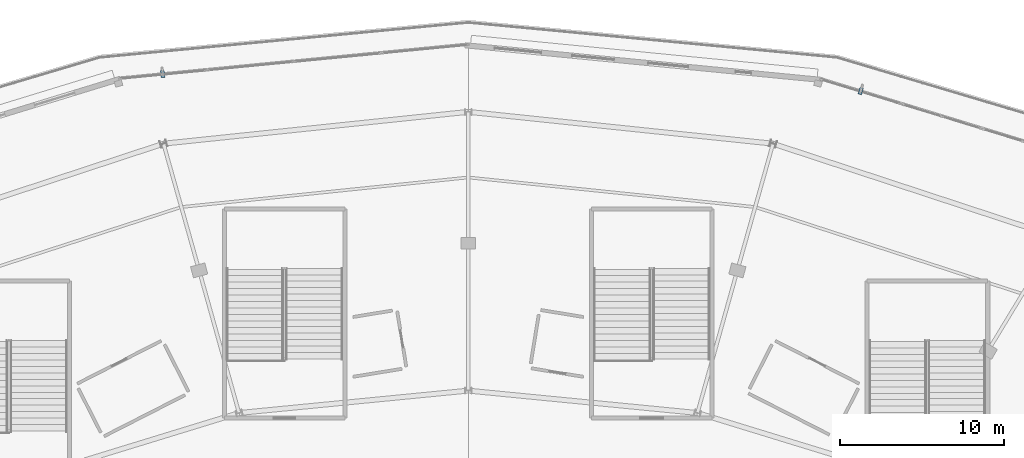
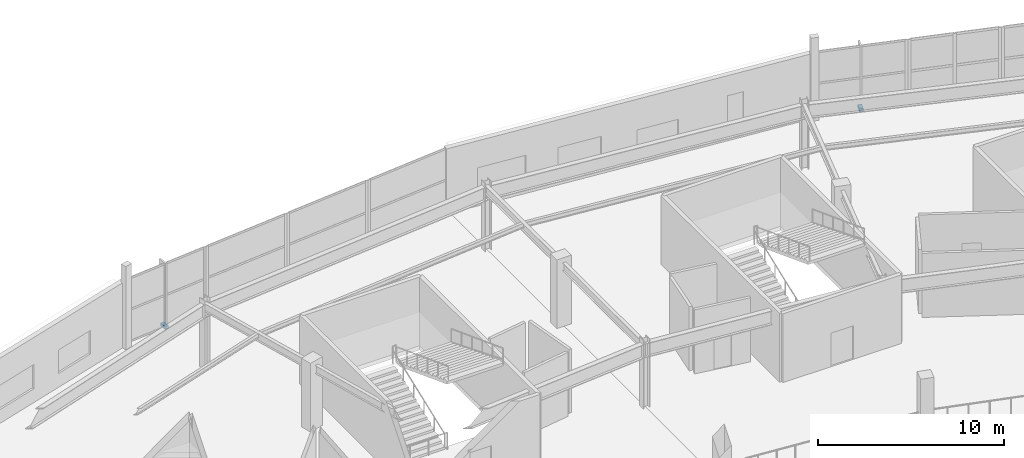
# One storey, part 99 of 123: 2 discrete accessories.
"""IFC4 building model written with IfcOpenShell, lengths in metres."""

from ifc_helpers import new_model, si_unit, direction, frame, origin, origin_2d, place, context, subcontext, project, spatial, rectangle, extrude, material, type_object, element, save


model = new_model("IFC4")

# Units and contexts
model_context = context("Model", 3, precision=1e-05, world=origin(), true_north=direction((0.0, 1.0)))
body_context = subcontext(model_context, "Body", "Model", "MODEL_VIEW")
ifc_project = project(units=[si_unit("LENGTHUNIT", "METRE"), si_unit("AREAUNIT", "SQUARE_METRE"), si_unit("VOLUMEUNIT", "CUBIC_METRE"), si_unit("PLANEANGLEUNIT", "RADIAN"), si_unit("MASSUNIT", "GRAM", prefix="KILO")], contexts=[model_context])

# Site, building, storey
site_placement = place(None, origin())
site = spatial("IfcSite", under=ifc_project, at=site_placement, CompositionType="ELEMENT")
building_placement = place(site_placement, origin())
building = spatial("IfcBuilding", under=site, at=building_placement, Name="Kalgoora Escarpment Arena", CompositionType="ELEMENT")
storey_placement = place(building_placement, frame((0.0, 0.0, 9.89990234375)))
storey = spatial("IfcBuildingStorey", under=building, at=storey_placement, Name="L02", CompositionType="ELEMENT", Elevation=9.89990234375)

# Discrete accessories
ifc_material = material(Name="Structural steel Grade 350 (350 MPa)", Category="steel")
discrete_accessory_type = type_object("IfcDiscreteAccessoryType", Name="ACC-BRACKET-FIN", PredefinedType="BRACKET", material=ifc_material)
for number, where, z_axis, x_axis, name in (
    (1, (73.76806640625, 123.306640625, 0.0), (0.0, 0.0, 1.0), (-0.096888076238, 0.995295283161, 0.0), "L02 solar fin support bracket 18"),
    (2, (116.330322265625, 122.265625, 0.0), (0.0, 0.0, 1.0), (0.292705500237, 0.956202640726, 0.0), "L02 solar fin support bracket 19"),
):
    element("IfcDiscreteAccessory", number, at=place(storey_placement, frame(where, z_axis=z_axis, x_axis=x_axis)), inside=storey, type_object=discrete_accessory_type, Name=name, PredefinedType="BRACKET", context=body_context, shape_type="SweptSolid", body=[
        extrude(rectangle(XDim=0.419921875, YDim=0.219970703125, at=origin_2d()), origin(), (0.0, 0.0, 1.0), 0.199951171875),
    ])

save(model, "model.ifc")
